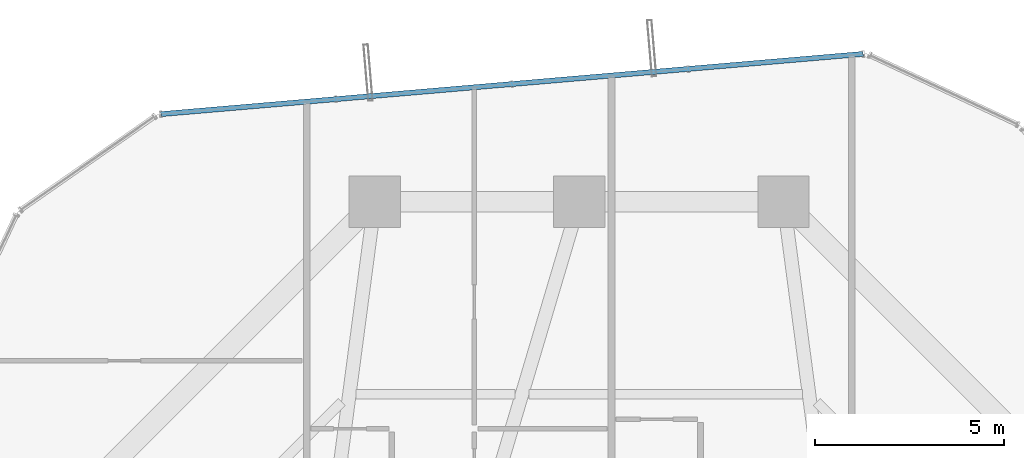
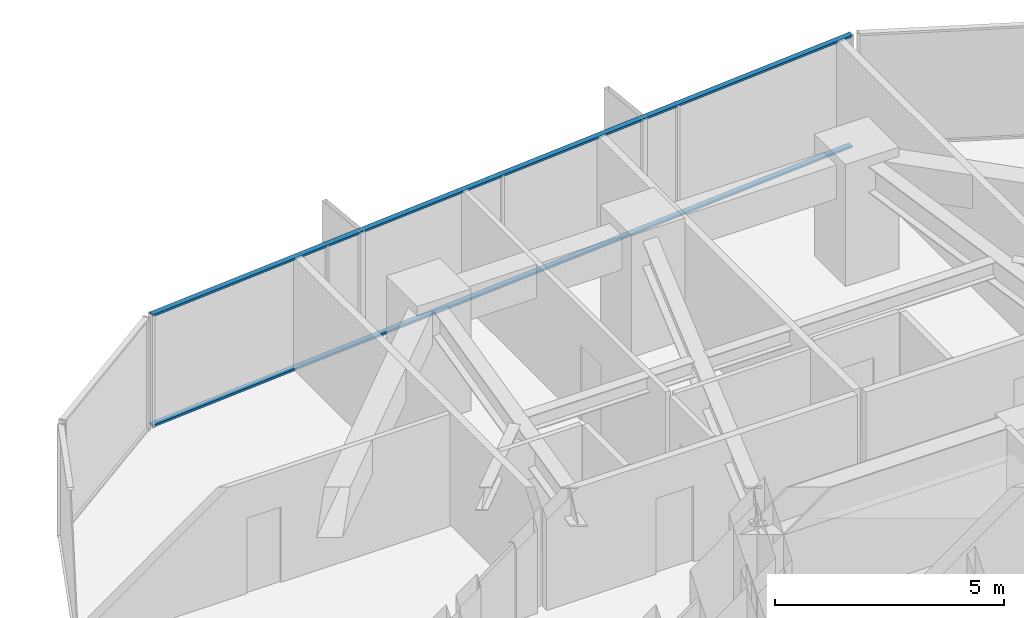
# One storey, part 26 of 37: 2 members, 1 element without a shape of its own.
"""IFC4 building model written with IfcOpenShell, lengths in metres."""

from ifc_helpers import new_model, si_unit, direction, frame, origin, origin_2d, place, context, subcontext, project, spatial, hollow_rectangle, extrude, source, transform, mapped, material, layer, layer_set, material_profile, profile_set, type_object, element, aggregate, save


model = new_model("IFC4")

# Units and contexts
model_context = context("Model", 3, precision=1e-05, world=origin(), true_north=direction((0.0, 1.0)))
body_context = subcontext(model_context, "Body", "Model", "MODEL_VIEW")
ifc_project = project(units=[si_unit("LENGTHUNIT", "METRE"), si_unit("AREAUNIT", "SQUARE_METRE"), si_unit("VOLUMEUNIT", "CUBIC_METRE"), si_unit("PLANEANGLEUNIT", "RADIAN"), si_unit("MASSUNIT", "GRAM", prefix="KILO")], contexts=[model_context])

# Site, building, storey
site_placement = place(None, origin())
site = spatial("IfcSite", under=ifc_project, at=site_placement, CompositionType="ELEMENT")
building_placement = place(site_placement, origin())
building = spatial("IfcBuilding", under=site, at=building_placement, Name="Veraguas Prism Commons", CompositionType="ELEMENT")
storey_placement = place(building_placement, frame((0.0, 0.0, 40.300048828125)))
storey = spatial("IfcBuildingStorey", under=building, at=storey_placement, Name="L10", CompositionType="ELEMENT", Elevation=40.300048828125)

# Curtain wall, members
ifc_material = material(Name="Anodised aluminium EN AW-6063 T6", Category="aluminium")
ifc_layer = layer(ifc_material, 0.169921875, Name="Unitised Flush Curtain Wall Zone 1", Category="aluminium")
ifc_layer_set = layer_set([ifc_layer], Name="Anodised aluminium EN AW-6063 T6")
curtain_wall_type = type_object("IfcCurtainWallType", Name="Unitised Flush Curtain Wall Zone 1", PredefinedType="NOTDEFINED", material=ifc_layer_set)
curtain_wall_placement = place(storey_placement, origin())
curtain_wall = element("IfcCurtainWall", 1, at=curtain_wall_placement, inside=storey, type_object=curtain_wall_type, Name="Tower Facade Curtain Wall L10-F2", PredefinedType="NOTDEFINED")
ifc_material_profile = material_profile(ifc_material, hollow_rectangle(XDim=0.054931640625, YDim=0.135009765625, WallThickness=0.0029296875, at=origin_2d()), Name="AL55X135X3")
ifc_profile_set = profile_set([ifc_material_profile], Name="Anodised aluminium EN AW-6063 T6")
member_type = type_object("IfcMemberType", Name="Curtain Wall Transom Standard AL 55x135x3", PredefinedType="USERDEFINED", material=ifc_profile_set)
shared_shape = source(origin(), body_context, "Body", "SweptSolid", [
    extrude(hollow_rectangle(XDim=0.054931640625, YDim=0.135009765625, WallThickness=0.0029296875, at=origin_2d()), origin(), (0.0, 0.0, 1.0), 18.623779296875),
])
member_1_placement = place(storey_placement, frame((31.50244140625, 45.504150390625, 0.02734375), z_axis=(-0.996345119131, -0.085418988425, 0.0), x_axis=(0.0, 0.0, 1.0)))
member_1 = element("IfcMember", 2, at=member_1_placement, type_object=member_type, Name="CW-Z1 Transom 1", ObjectType="TRANSOM", PredefinedType="USERDEFINED", context=body_context, shape_type="MappedRepresentation", body=[
    mapped(shared_shape, transform((0.0, 0.0, 0.0), scale=1.0)),
])
member_2_placement = place(storey_placement, frame((31.50244140625, 45.504150390625, 2.972412109375), z_axis=(-0.996345119131, -0.085418988425, 0.0), x_axis=(0.0, 0.0, 1.0)))
member_2 = element("IfcMember", 3, at=member_2_placement, type_object=member_type, Name="CW-Z1 Transom 2", ObjectType="TRANSOM", PredefinedType="USERDEFINED", context=body_context, shape_type="MappedRepresentation", body=[
    mapped(shared_shape, transform((0.0, 0.0, 0.0), scale=1.0)),
])
aggregate(curtain_wall, [member_1, member_2])

save(model, "model.ifc")
